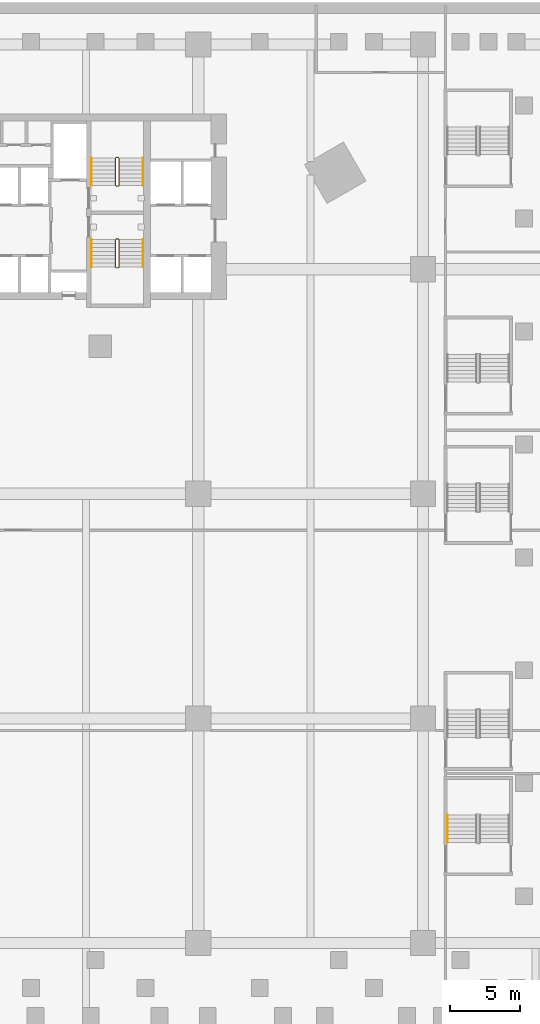
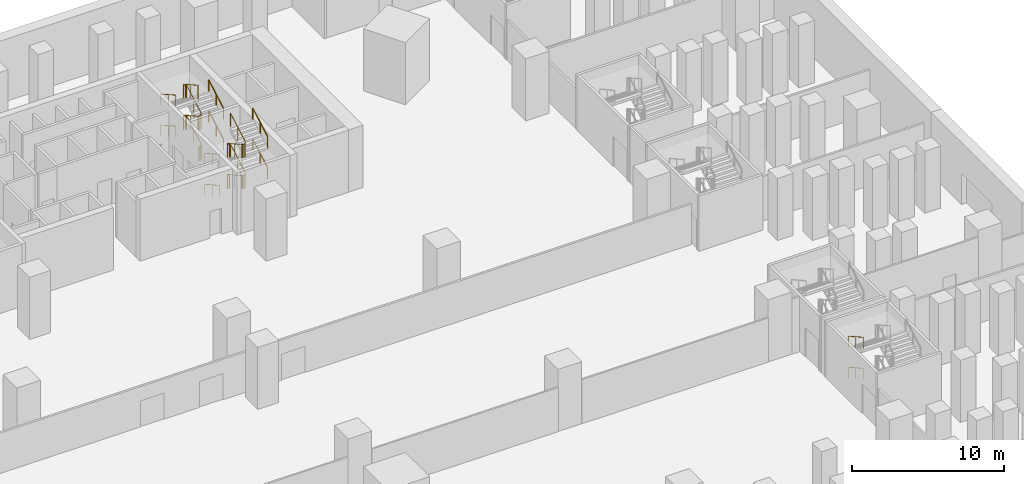
# One storey, part 20 of 24: 12 railings.
"""IFC4 building model written with IfcOpenShell, lengths in metres."""

from ifc_helpers import new_model, si_unit, direction, frame, origin, origin_2d, place, context, subcontext, project, spatial, circle, extrude, material, type_object, element, save


model = new_model("IFC4")

# Units and contexts
model_context = context("Model", 3, precision=1e-05, world=origin(), true_north=direction((0.0, 1.0)))
body_context = subcontext(model_context, "Body", "Model", "MODEL_VIEW")
ifc_project = project(units=[si_unit("LENGTHUNIT", "METRE"), si_unit("AREAUNIT", "SQUARE_METRE"), si_unit("VOLUMEUNIT", "CUBIC_METRE"), si_unit("PLANEANGLEUNIT", "RADIAN"), si_unit("MASSUNIT", "GRAM", prefix="KILO")], contexts=[model_context])

# Site, building, storey
site_placement = place(None, origin())
site = spatial("IfcSite", under=ifc_project, at=site_placement, CompositionType="ELEMENT")
building_placement = place(site_placement, origin())
building = spatial("IfcBuilding", under=site, at=building_placement, Name="Calabash Gate Tower", CompositionType="ELEMENT")
storey_placement = place(building_placement, frame((0.0, 0.0, -5.0)))
storey = spatial("IfcBuildingStorey", under=building, at=storey_placement, Name="B1", CompositionType="ELEMENT", Elevation=-5.0)

# Railings
ifc_material_1 = material(Name="Black powder-coated steel balusters", Category="steel")
railing_type_1 = type_object("IfcRailingType", Name="Stair guard RL1100", PredefinedType="GUARDRAIL", material=ifc_material_1)
railing_1_placement = place(storey_placement, frame((10.300048828125, 13.902587890625, 0.0)))
element("IfcRailing", 1, at=railing_1_placement, inside=storey, type_object=railing_type_1, Name="B1 ST3 stair guard 1", PredefinedType="GUARDRAIL", context=body_context, shape_type="SweptSolid", body=[
    extrude(circle(Radius=0.02392578125, at=origin_2d()), frame((0.0, 0.0, 1.076171875), z_axis=(-1.0, 0.0, 0.0), x_axis=(0.0, -1.0, 0.0)), (0.0, 0.0, 1.0), 0.150146484375),
    extrude(circle(Radius=0.02392578125, at=origin_2d()), frame((-0.150146484375, 0.0, 1.076171875), z_axis=(0.773438643492, 0.193359660873, 0.603659429067), x_axis=(-0.242535625036, 0.970142500145, 0.0)), (0.0, 0.0, 1.0), 0.2587890625),
    extrude(circle(Radius=0.02392578125, at=origin_2d()), frame((0.050048828125, 0.050048828125, 1.232421875), z_axis=(0.0, 0.872479975208, 0.48864986735), x_axis=(-1.0, 0.0, 0.0)), (0.0, 0.0, 1.0), 2.23828125),
    extrude(circle(Radius=0.02392578125, at=origin_2d()), frame((0.050048828125, 2.0029296875, 2.326171875), z_axis=(-0.707106781187, 0.707106781187, 0.0), x_axis=(-0.707106781187, -0.707106781187, 0.0)), (0.0, 0.0, 1.0), 0.07080078125),
    extrude(circle(Radius=0.02392578125, at=origin_2d()), frame((0.0, 2.052978515625, 2.326171875), z_axis=(-1.0, 0.0, 0.0), x_axis=(0.0, -1.0, 0.0)), (0.0, 0.0, 1.0), 0.150146484375),
    extrude(circle(Radius=0.02392578125, at=origin_2d()), frame((-0.150146484375, 2.052978515625, 2.326171875), z_axis=(-0.290469530425, -0.291893400672, 0.911276958196), x_axis=(0.708833529934, -0.705375805398, 0.0)), (0.0, 0.0, 1.0), 0.17138671875),
    extrude(circle(Radius=0.02392578125, at=origin_2d()), frame((-0.199951171875, 2.0029296875, 2.482421875), z_axis=(0.0, -0.872479975208, 0.48864986735), x_axis=(1.0, 0.0, 0.0)), (0.0, 0.0, 1.0), 2.23828125),
    extrude(circle(Radius=0.02392578125, at=origin_2d()), frame((-0.199951171875, 0.050048828125, 3.576171875), z_axis=(0.970072785993, -0.242814311512, 0.0), x_axis=(0.242814311512, 0.970072785993, 0.0)), (0.0, 0.0, 1.0), 0.2060546875),
    extrude(circle(Radius=0.02392578125, at=origin_2d()), frame((0.0, 0.0, 3.576171875), z_axis=(-1.0, 0.0, 0.0), x_axis=(0.0, -1.0, 0.0)), (0.0, 0.0, 1.0), 0.150146484375),
    extrude(circle(Radius=0.02392578125, at=origin_2d()), frame((-0.150146484375, 0.0, 3.576171875), z_axis=(0.773438643492, 0.193359660873, 0.603659429067), x_axis=(-0.242535625036, 0.970142500145, 0.0)), (0.0, 0.0, 1.0), 0.2587890625),
    extrude(circle(Radius=0.02392578125, at=origin_2d()), frame((0.050048828125, 0.050048828125, 3.732421875), z_axis=(0.0, 0.872479975208, 0.48864986735), x_axis=(-1.0, 0.0, 0.0)), (0.0, 0.0, 1.0), 2.23828125),
    extrude(circle(Radius=0.02392578125, at=origin_2d()), frame((0.050048828125, 2.0029296875, 4.826171875), z_axis=(-0.707106781187, 0.707106781187, 0.0), x_axis=(-0.707106781187, -0.707106781187, 0.0)), (0.0, 0.0, 1.0), 0.07080078125),
    extrude(circle(Radius=0.02392578125, at=origin_2d()), frame((0.0, 2.052978515625, 4.826171875), z_axis=(-1.0, 0.0, 0.0), x_axis=(0.0, -1.0, 0.0)), (0.0, 0.0, 1.0), 0.150146484375),
    extrude(circle(Radius=0.02392578125, at=origin_2d()), frame((-0.150146484375, 2.052978515625, 4.826171875), z_axis=(-0.290469530425, -0.291893400672, 0.911276958196), x_axis=(0.708833529934, -0.705375805398, 0.0)), (0.0, 0.0, 1.0), 0.17138671875),
    extrude(circle(Radius=0.02392578125, at=origin_2d()), frame((-0.199951171875, 2.0029296875, 4.982421875), z_axis=(0.0, -0.872479975208, 0.48864986735), x_axis=(1.0, 0.0, 0.0)), (0.0, 0.0, 1.0), 2.23828125),
    extrude(circle(Radius=0.02099609375, at=origin_2d()), origin(), (0.0, 0.0, 1.0), 1.052001953125),
    extrude(circle(Radius=0.02099609375, at=origin_2d()), frame((-0.150146484375, 0.0, 0.0)), (0.0, 0.0, 1.0), 1.052001953125),
    extrude(circle(Radius=0.02099609375, at=origin_2d()), frame((0.050048828125, 0.050048828125, 0.15625)), (0.0, 0.0, 1.0), 1.052001953125),
    extrude(circle(Radius=0.02099609375, at=origin_2d()), frame((0.050048828125, 1.0263671875, 0.703125)), (0.0, 0.0, 1.0), 1.052001953125),
    extrude(circle(Radius=0.02099609375, at=origin_2d()), frame((0.050048828125, 2.0029296875, 1.25)), (0.0, 0.0, 1.0), 1.052001953125),
    extrude(circle(Radius=0.02099609375, at=origin_2d()), frame((0.0, 2.052978515625, 1.25)), (0.0, 0.0, 1.0), 1.052001953125),
    extrude(circle(Radius=0.02099609375, at=origin_2d()), frame((-0.150146484375, 2.052978515625, 1.25)), (0.0, 0.0, 1.0), 1.052001953125),
    extrude(circle(Radius=0.02099609375, at=origin_2d()), frame((-0.199951171875, 2.0029296875, 1.40625)), (0.0, 0.0, 1.0), 1.052001953125),
    extrude(circle(Radius=0.02099609375, at=origin_2d()), frame((-0.199951171875, 1.0263671875, 1.953125)), (0.0, 0.0, 1.0), 1.052001953125),
    extrude(circle(Radius=0.02099609375, at=origin_2d()), frame((-0.199951171875, 0.050048828125, 2.5)), (0.0, 0.0, 1.0), 1.052001953125),
    extrude(circle(Radius=0.02099609375, at=origin_2d()), frame((0.0, 0.0, 2.5)), (0.0, 0.0, 1.0), 1.052001953125),
    extrude(circle(Radius=0.02099609375, at=origin_2d()), frame((-0.150146484375, 0.0, 2.5)), (0.0, 0.0, 1.0), 1.052001953125),
    extrude(circle(Radius=0.02099609375, at=origin_2d()), frame((0.050048828125, 0.050048828125, 2.65625)), (0.0, 0.0, 1.0), 1.052001953125),
    extrude(circle(Radius=0.02099609375, at=origin_2d()), frame((0.050048828125, 1.0263671875, 3.203125)), (0.0, 0.0, 1.0), 1.052001953125),
    extrude(circle(Radius=0.02099609375, at=origin_2d()), frame((0.050048828125, 2.0029296875, 3.75)), (0.0, 0.0, 1.0), 1.052001953125),
    extrude(circle(Radius=0.02099609375, at=origin_2d()), frame((0.0, 2.052978515625, 3.75)), (0.0, 0.0, 1.0), 1.052001953125),
    extrude(circle(Radius=0.02099609375, at=origin_2d()), frame((-0.150146484375, 2.052978515625, 3.75)), (0.0, 0.0, 1.0), 1.052001953125),
    extrude(circle(Radius=0.02099609375, at=origin_2d()), frame((-0.199951171875, 2.0029296875, 3.90625)), (0.0, 0.0, 1.0), 1.052001953125),
    extrude(circle(Radius=0.02099609375, at=origin_2d()), frame((-0.199951171875, 1.0263671875, 4.453125)), (0.0, 0.0, 1.0), 1.052001953125),
    extrude(circle(Radius=0.02099609375, at=origin_2d()), frame((-0.199951171875, 0.050048828125, 5.0)), (0.0, 0.0, 1.0), 1.052001953125),
])
railing_2_placement = place(storey_placement, frame((10.14990234375, 10.152587890625, 0.0)))
element("IfcRailing", 2, at=railing_2_placement, inside=storey, type_object=railing_type_1, Name="B1 ST4 stair guard 1", PredefinedType="GUARDRAIL", context=body_context, shape_type="SweptSolid", body=[
    extrude(circle(Radius=0.02392578125, at=origin_2d()), frame((0.0, 0.0, 1.076171875), z_axis=(1.0, 0.0, 0.0), x_axis=(0.0, 1.0, 0.0)), (0.0, 0.0, 1.0), 0.150146484375),
    extrude(circle(Radius=0.02392578125, at=origin_2d()), frame((0.150146484375, 0.0, 1.076171875), z_axis=(-0.77305925043, -0.19350078918, 0.604100024756), x_axis=(0.242814311512, -0.970072785993, 0.0)), (0.0, 0.0, 1.0), 0.258544921875),
    extrude(circle(Radius=0.02392578125, at=origin_2d()), frame((-0.0498046875, -0.050048828125, 1.232421875), z_axis=(0.0, -0.872479975208, 0.48864986735), x_axis=(1.0, 0.0, 0.0)), (0.0, 0.0, 1.0), 2.23828125),
    extrude(circle(Radius=0.02392578125, at=origin_2d()), frame((-0.0498046875, -2.0029296875, 2.326171875), z_axis=(0.705375805398, -0.708833529934, 0.0), x_axis=(0.708833529934, 0.705375805398, 0.0)), (0.0, 0.0, 1.0), 0.070556640625),
    extrude(circle(Radius=0.02392578125, at=origin_2d()), frame((0.0, -2.052978515625, 2.326171875), z_axis=(1.0, 0.0, 0.0), x_axis=(0.0, 1.0, 0.0)), (0.0, 0.0, 1.0), 0.150146484375),
    extrude(circle(Radius=0.02392578125, at=origin_2d()), frame((0.150146484375, -2.052978515625, 2.326171875), z_axis=(0.29177245553, 0.29177245553, 0.91089937336), x_axis=(-0.707106781187, 0.707106781187, 0.0)), (0.0, 0.0, 1.0), 0.171630859375),
    extrude(circle(Radius=0.02392578125, at=origin_2d()), frame((0.2001953125, -2.0029296875, 2.482421875), z_axis=(0.0, 0.872479975208, 0.48864986735), x_axis=(-1.0, 0.0, 0.0)), (0.0, 0.0, 1.0), 2.23828125),
    extrude(circle(Radius=0.02392578125, at=origin_2d()), frame((0.2001953125, -0.050048828125, 3.576171875), z_axis=(-0.970142500145, 0.242535625036, 0.0), x_axis=(-0.242535625036, -0.970142500145, 0.0)), (0.0, 0.0, 1.0), 0.206298828125),
    extrude(circle(Radius=0.02392578125, at=origin_2d()), frame((0.0, 0.0, 3.576171875), z_axis=(1.0, 0.0, 0.0), x_axis=(0.0, 1.0, 0.0)), (0.0, 0.0, 1.0), 0.150146484375),
    extrude(circle(Radius=0.02392578125, at=origin_2d()), frame((0.150146484375, 0.0, 3.576171875), z_axis=(-0.77305925043, -0.19350078918, 0.604100024756), x_axis=(0.242814311512, -0.970072785993, 0.0)), (0.0, 0.0, 1.0), 0.258544921875),
    extrude(circle(Radius=0.02392578125, at=origin_2d()), frame((-0.0498046875, -0.050048828125, 3.732421875), z_axis=(0.0, -0.872479975208, 0.48864986735), x_axis=(1.0, 0.0, 0.0)), (0.0, 0.0, 1.0), 2.23828125),
    extrude(circle(Radius=0.02392578125, at=origin_2d()), frame((-0.0498046875, -2.0029296875, 4.826171875), z_axis=(0.705375805398, -0.708833529934, 0.0), x_axis=(0.708833529934, 0.705375805398, 0.0)), (0.0, 0.0, 1.0), 0.070556640625),
    extrude(circle(Radius=0.02392578125, at=origin_2d()), frame((0.0, -2.052978515625, 4.826171875), z_axis=(1.0, 0.0, 0.0), x_axis=(0.0, 1.0, 0.0)), (0.0, 0.0, 1.0), 0.150146484375),
    extrude(circle(Radius=0.02392578125, at=origin_2d()), frame((0.150146484375, -2.052978515625, 4.826171875), z_axis=(0.29177245553, 0.29177245553, 0.91089937336), x_axis=(-0.707106781187, 0.707106781187, 0.0)), (0.0, 0.0, 1.0), 0.171630859375),
    extrude(circle(Radius=0.02392578125, at=origin_2d()), frame((0.2001953125, -2.0029296875, 4.982421875), z_axis=(0.0, 0.872479975208, 0.48864986735), x_axis=(-1.0, 0.0, 0.0)), (0.0, 0.0, 1.0), 2.23828125),
    extrude(circle(Radius=0.02099609375, at=origin_2d()), origin(), (0.0, 0.0, 1.0), 1.052001953125),
    extrude(circle(Radius=0.02099609375, at=origin_2d()), frame((0.150146484375, 0.0, 0.0)), (0.0, 0.0, 1.0), 1.052001953125),
    extrude(circle(Radius=0.02099609375, at=origin_2d()), frame((-0.0498046875, -0.050048828125, 0.15625)), (0.0, 0.0, 1.0), 1.052001953125),
    extrude(circle(Radius=0.02099609375, at=origin_2d()), frame((-0.0498046875, -1.0263671875, 0.703125)), (0.0, 0.0, 1.0), 1.052001953125),
    extrude(circle(Radius=0.02099609375, at=origin_2d()), frame((-0.0498046875, -2.0029296875, 1.25)), (0.0, 0.0, 1.0), 1.052001953125),
    extrude(circle(Radius=0.02099609375, at=origin_2d()), frame((0.0, -2.052978515625, 1.25)), (0.0, 0.0, 1.0), 1.052001953125),
    extrude(circle(Radius=0.02099609375, at=origin_2d()), frame((0.150146484375, -2.052978515625, 1.25)), (0.0, 0.0, 1.0), 1.052001953125),
    extrude(circle(Radius=0.02099609375, at=origin_2d()), frame((0.2001953125, -2.0029296875, 1.40625)), (0.0, 0.0, 1.0), 1.052001953125),
    extrude(circle(Radius=0.02099609375, at=origin_2d()), frame((0.2001953125, -1.0263671875, 1.953125)), (0.0, 0.0, 1.0), 1.052001953125),
    extrude(circle(Radius=0.02099609375, at=origin_2d()), frame((0.2001953125, -0.050048828125, 2.5)), (0.0, 0.0, 1.0), 1.052001953125),
    extrude(circle(Radius=0.02099609375, at=origin_2d()), frame((0.0, 0.0, 2.5)), (0.0, 0.0, 1.0), 1.052001953125),
    extrude(circle(Radius=0.02099609375, at=origin_2d()), frame((0.150146484375, 0.0, 2.5)), (0.0, 0.0, 1.0), 1.052001953125),
    extrude(circle(Radius=0.02099609375, at=origin_2d()), frame((-0.0498046875, -0.050048828125, 2.65625)), (0.0, 0.0, 1.0), 1.052001953125),
    extrude(circle(Radius=0.02099609375, at=origin_2d()), frame((-0.0498046875, -1.0263671875, 3.203125)), (0.0, 0.0, 1.0), 1.052001953125),
    extrude(circle(Radius=0.02099609375, at=origin_2d()), frame((-0.0498046875, -2.0029296875, 3.75)), (0.0, 0.0, 1.0), 1.052001953125),
    extrude(circle(Radius=0.02099609375, at=origin_2d()), frame((0.0, -2.052978515625, 3.75)), (0.0, 0.0, 1.0), 1.052001953125),
    extrude(circle(Radius=0.02099609375, at=origin_2d()), frame((0.150146484375, -2.052978515625, 3.75)), (0.0, 0.0, 1.0), 1.052001953125),
    extrude(circle(Radius=0.02099609375, at=origin_2d()), frame((0.2001953125, -2.0029296875, 3.90625)), (0.0, 0.0, 1.0), 1.052001953125),
    extrude(circle(Radius=0.02099609375, at=origin_2d()), frame((0.2001953125, -1.0263671875, 4.453125)), (0.0, 0.0, 1.0), 1.052001953125),
    extrude(circle(Radius=0.02099609375, at=origin_2d()), frame((0.2001953125, -0.050048828125, 5.0)), (0.0, 0.0, 1.0), 1.052001953125),
])
ifc_material_2 = material(Name="Black powder-coated steel tube 48 mm", Category="steel")
railing_type_2 = type_object("IfcRailingType", Name="Stair handrail RL900", PredefinedType="HANDRAIL", material=ifc_material_2)
railing_3_placement = place(storey_placement, frame((12.050048828125, 13.95263671875, 0.15625)))
element("IfcRailing", 3, at=railing_3_placement, inside=storey, type_object=railing_type_2, Name="B1 ST3 stair handrail 1", PredefinedType="HANDRAIL", context=body_context, shape_type="SweptSolid", body=[
    extrude(circle(Radius=0.02392578125, at=origin_2d()), frame((0.0, 0.0, 0.8759765625), z_axis=(0.0, 0.872479975208, 0.48864986735), x_axis=(-1.0, 0.0, 0.0)), (0.0, 0.0, 1.0), 2.23828125),
    extrude(circle(Radius=0.02099609375, at=origin_2d()), origin(), (0.0, 0.0, 1.0), 0.851806640625),
    extrude(circle(Radius=0.02099609375, at=origin_2d()), frame((0.0, 0.9765625, 0.546875)), (0.0, 0.0, 1.0), 0.851806640625),
    extrude(circle(Radius=0.02099609375, at=origin_2d()), frame((0.0, 1.952880859375, 1.09375)), (0.0, 0.0, 1.0), 0.851806640625),
])
railing_4_placement = place(storey_placement, frame((8.39990234375, 15.905517578125, 1.40625)))
element("IfcRailing", 4, at=railing_4_placement, inside=storey, type_object=railing_type_2, Name="B1 ST3 stair handrail 2", PredefinedType="HANDRAIL", context=body_context, shape_type="SweptSolid", body=[
    extrude(circle(Radius=0.02392578125, at=origin_2d()), frame((0.0, 0.0, 0.8759765625), z_axis=(0.0, -0.872479975208, 0.48864986735), x_axis=(1.0, 0.0, 0.0)), (0.0, 0.0, 1.0), 2.23828125),
    extrude(circle(Radius=0.02099609375, at=origin_2d()), origin(), (0.0, 0.0, 1.0), 0.851806640625),
    extrude(circle(Radius=0.02099609375, at=origin_2d()), frame((0.0, -0.9765625, 0.546875)), (0.0, 0.0, 1.0), 0.851806640625),
    extrude(circle(Radius=0.02099609375, at=origin_2d()), frame((0.0, -1.952880859375, 1.09375)), (0.0, 0.0, 1.0), 0.851806640625),
])
railing_5_placement = place(storey_placement, frame((12.050048828125, 13.95263671875, 2.65625)))
element("IfcRailing", 5, at=railing_5_placement, inside=storey, type_object=railing_type_2, Name="B1 ST3 stair handrail 3", PredefinedType="HANDRAIL", context=body_context, shape_type="SweptSolid", body=[
    extrude(circle(Radius=0.02392578125, at=origin_2d()), frame((0.0, 0.0, 0.8759765625), z_axis=(0.0, 0.872479975208, 0.48864986735), x_axis=(-1.0, 0.0, 0.0)), (0.0, 0.0, 1.0), 2.23828125),
    extrude(circle(Radius=0.02099609375, at=origin_2d()), origin(), (0.0, 0.0, 1.0), 0.851806640625),
    extrude(circle(Radius=0.02099609375, at=origin_2d()), frame((0.0, 0.9765625, 0.546875)), (0.0, 0.0, 1.0), 0.851806640625),
    extrude(circle(Radius=0.02099609375, at=origin_2d()), frame((0.0, 1.952880859375, 1.09375)), (0.0, 0.0, 1.0), 0.851806640625),
])
for number, where, name in (
    (6, (8.39990234375, 15.905517578125, 3.90625), "B1 ST3 stair handrail 4"),
    (7, (8.39990234375, 10.1025390625, 0.15625), "B1 ST4 stair handrail 1"),
):
    element("IfcRailing", number, at=place(storey_placement, frame(where)), inside=storey, type_object=railing_type_2, Name=name, PredefinedType="HANDRAIL", context=body_context, shape_type="SweptSolid", body=[
        extrude(circle(Radius=0.02392578125, at=origin_2d()), frame((0.0, 0.0, 0.8759765625), z_axis=(0.0, -0.872479975208, 0.48864986735), x_axis=(1.0, 0.0, 0.0)), (0.0, 0.0, 1.0), 2.23828125),
        extrude(circle(Radius=0.02099609375, at=origin_2d()), origin(), (0.0, 0.0, 1.0), 0.851806640625),
        extrude(circle(Radius=0.02099609375, at=origin_2d()), frame((0.0, -0.9765625, 0.546875)), (0.0, 0.0, 1.0), 0.851806640625),
        extrude(circle(Radius=0.02099609375, at=origin_2d()), frame((0.0, -1.952880859375, 1.09375)), (0.0, 0.0, 1.0), 0.851806640625),
    ])
railing_6_placement = place(storey_placement, frame((12.050048828125, 8.149658203125, 1.40625)))
element("IfcRailing", 8, at=railing_6_placement, inside=storey, type_object=railing_type_2, Name="B1 ST4 stair handrail 2", PredefinedType="HANDRAIL", context=body_context, shape_type="SweptSolid", body=[
    extrude(circle(Radius=0.02392578125, at=origin_2d()), frame((0.0, 0.0, 0.8759765625), z_axis=(0.0, 0.872479975208, 0.48864986735), x_axis=(-1.0, 0.0, 0.0)), (0.0, 0.0, 1.0), 2.23828125),
    extrude(circle(Radius=0.02099609375, at=origin_2d()), origin(), (0.0, 0.0, 1.0), 0.851806640625),
    extrude(circle(Radius=0.02099609375, at=origin_2d()), frame((0.0, 0.9765625, 0.546875)), (0.0, 0.0, 1.0), 0.851806640625),
    extrude(circle(Radius=0.02099609375, at=origin_2d()), frame((0.0, 1.952880859375, 1.09375)), (0.0, 0.0, 1.0), 0.851806640625),
])
railing_7_placement = place(storey_placement, frame((8.39990234375, 10.1025390625, 2.65625)))
element("IfcRailing", 9, at=railing_7_placement, inside=storey, type_object=railing_type_2, Name="B1 ST4 stair handrail 3", PredefinedType="HANDRAIL", context=body_context, shape_type="SweptSolid", body=[
    extrude(circle(Radius=0.02392578125, at=origin_2d()), frame((0.0, 0.0, 0.8759765625), z_axis=(0.0, -0.872479975208, 0.48864986735), x_axis=(1.0, 0.0, 0.0)), (0.0, 0.0, 1.0), 2.23828125),
    extrude(circle(Radius=0.02099609375, at=origin_2d()), origin(), (0.0, 0.0, 1.0), 0.851806640625),
    extrude(circle(Radius=0.02099609375, at=origin_2d()), frame((0.0, -0.9765625, 0.546875)), (0.0, 0.0, 1.0), 0.851806640625),
    extrude(circle(Radius=0.02099609375, at=origin_2d()), frame((0.0, -1.952880859375, 1.09375)), (0.0, 0.0, 1.0), 0.851806640625),
])
railing_8_placement = place(storey_placement, frame((12.050048828125, 8.149658203125, 3.90625)))
element("IfcRailing", 10, at=railing_8_placement, inside=storey, type_object=railing_type_2, Name="B1 ST4 stair handrail 4", PredefinedType="HANDRAIL", context=body_context, shape_type="SweptSolid", body=[
    extrude(circle(Radius=0.02392578125, at=origin_2d()), frame((0.0, 0.0, 0.8759765625), z_axis=(0.0, 0.872479975208, 0.48864986735), x_axis=(-1.0, 0.0, 0.0)), (0.0, 0.0, 1.0), 2.23828125),
    extrude(circle(Radius=0.02099609375, at=origin_2d()), origin(), (0.0, 0.0, 1.0), 0.851806640625),
    extrude(circle(Radius=0.02099609375, at=origin_2d()), frame((0.0, 0.9765625, 0.546875)), (0.0, 0.0, 1.0), 0.851806640625),
    extrude(circle(Radius=0.02099609375, at=origin_2d()), frame((0.0, 1.952880859375, 1.09375)), (0.0, 0.0, 1.0), 0.851806640625),
])
for number, where, name in (
    (11, (33.75, -30.886962890625, 1.40625), "B1 PS6 stair handrail 2"),
    (12, (33.75, -30.886962890625, 3.90625), "B1 PS6 stair handrail 4"),
):
    element("IfcRailing", number, at=place(storey_placement, frame(where)), inside=storey, type_object=railing_type_2, Name=name, PredefinedType="HANDRAIL", context=body_context, shape_type="SweptSolid", body=[
        extrude(circle(Radius=0.02392578125, at=origin_2d()), frame((0.0, 0.0, 0.8759765625), z_axis=(0.0, -0.87250601595, 0.488603368932), x_axis=(1.0, 0.0, 0.0)), (0.0, 0.0, 1.0), 2.238525390625),
        extrude(circle(Radius=0.02099609375, at=origin_2d()), origin(), (0.0, 0.0, 1.0), 0.851806640625),
        extrude(circle(Radius=0.02099609375, at=origin_2d()), frame((0.0, -0.9765625, 0.546875)), (0.0, 0.0, 1.0), 0.851806640625),
        extrude(circle(Radius=0.02099609375, at=origin_2d()), frame((0.0, -1.953125, 1.09375)), (0.0, 0.0, 1.0), 0.851806640625),
    ])

save(model, "model.ifc")
